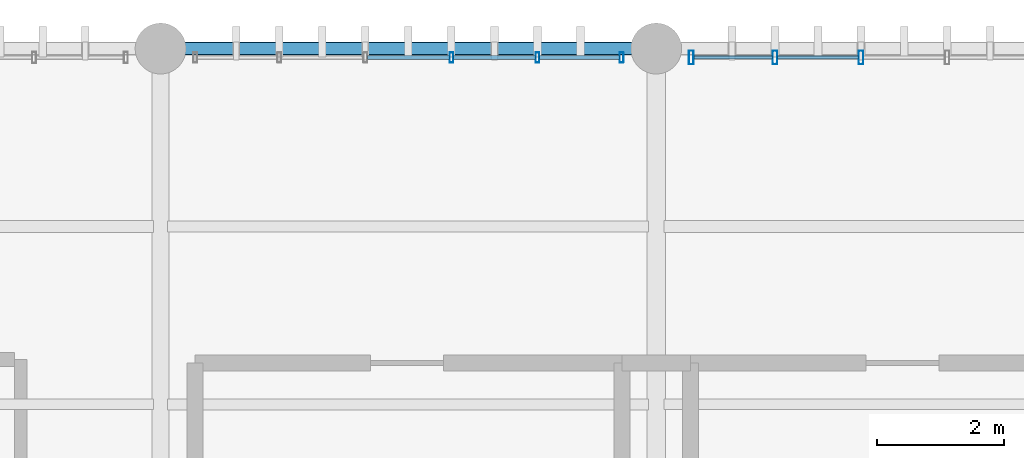
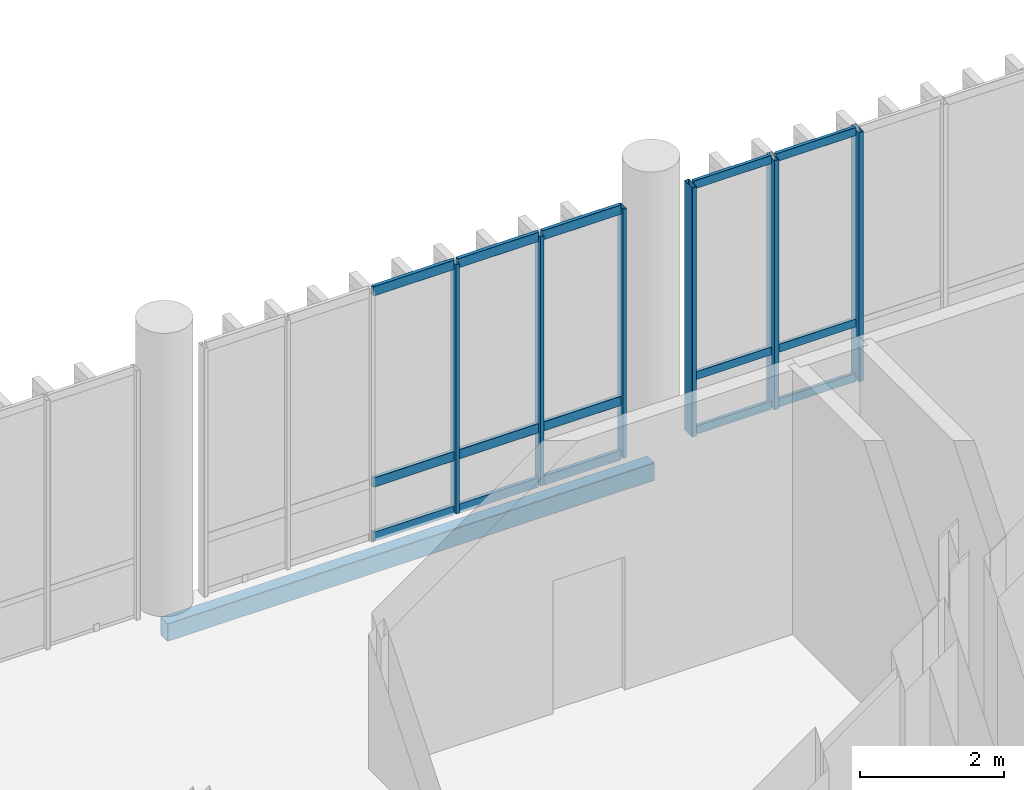
# One storey, part 64 of 94: 21 members, 1 beam, 2 elements without a shape of their own.
"""IFC4 building model written with IfcOpenShell, lengths in metres."""

from ifc_helpers import new_model, si_unit, direction, frame, origin_with_axes, origin_2d_with_axis, place, context, subcontext, project, spatial, hollow_rectangle, extrude, material, material_profile, profile_set, type_object, element, aggregate, save


model = new_model("IFC4")

# Units and contexts
model_context = context("Model", 3, precision=1e-05, world=origin_with_axes(), true_north=direction((0.0, 1.0)))
body_context = subcontext(model_context, "Body", "Model", "MODEL_VIEW")
ifc_project = project(units=[si_unit("LENGTHUNIT", "METRE"), si_unit("AREAUNIT", "SQUARE_METRE"), si_unit("VOLUMEUNIT", "CUBIC_METRE"), si_unit("PLANEANGLEUNIT", "RADIAN"), si_unit("MASSUNIT", "GRAM", prefix="KILO"), si_unit("THERMODYNAMICTEMPERATUREUNIT", "KELVIN")], contexts=[model_context])

# Site, building, storey
site_placement = place(None, origin_with_axes())
site = spatial("IfcSite", under=ifc_project, at=site_placement, CompositionType="ELEMENT")
building_placement = place(site_placement, origin_with_axes())
building = spatial("IfcBuilding", under=site, at=building_placement, Name="Montbau Bow Law Courts", CompositionType="ELEMENT")
storey_placement = place(building_placement, frame((0.0, 0.0, 15.6), z_axis=(0.0, 0.0, 1.0), x_axis=(1.0, 0.0, 0.0)))
storey = spatial("IfcBuildingStorey", under=building, at=storey_placement, Name="L03", CompositionType="ELEMENT", Elevation=15.6)

# Beam
ifc_material_1 = material(Name="Steel CSA G40.21 Grade 350WT (350 MPa)", Category="steel")
ifc_material_profile_1 = material_profile(ifc_material_1, hollow_rectangle(XDim=0.203, YDim=0.305, WallThickness=0.0127, InnerFilletRadius=0.0254, OuterFilletRadius=0.0127, at=origin_2d_with_axis()), Name="HSS305X203X13", Category="Main", Priority=0)
ifc_profile_set_1 = profile_set([ifc_material_profile_1], Name="Steel CSA G40.21 Grade 350WT (350 MPa)")
beam_type = type_object("IfcBeamType", Name="B-SPN-02", PredefinedType="SPANDREL", material=ifc_profile_set_1)
beam_placement = place(None, frame((147.0, 103.2, 15.107), z_axis=(1.0, 0.0, 0.0), x_axis=(0.0, 1.0, 0.0)))
element("IfcBeam", 1, at=beam_placement, inside=storey, type_object=beam_type, Name="SPN-L03-S1222:bm2_1225", PredefinedType="SPANDREL", context=body_context, shape_type="SweptSolid", body=[
    extrude(hollow_rectangle(XDim=0.203, YDim=0.305, WallThickness=0.0127, InnerFilletRadius=0.0254, OuterFilletRadius=0.0127, at=origin_2d_with_axis()), origin_with_axes(), (0.0, 0.0, 1.0), 7.8),
])

# Curtain wall, members
ifc_material_2 = material(Name="Thermally Broken Extruded Aluminium AA 6063-T6", Category="aluminium")
curtain_wall_type = type_object("IfcCurtainWallType", Name="CW-SLT-01", PredefinedType="NOTDEFINED", material=ifc_material_2)
curtain_wall_1_placement = place(None, frame((155.315, 103.06, 15.6), z_axis=(0.0, 0.0, 1.0), x_axis=(1.0, 0.0, 0.0)))
curtain_wall_1 = element("IfcCurtainWall", 2, at=curtain_wall_1_placement, inside=storey, type_object=curtain_wall_type, Name="CW-L03-315:cw_0315", PredefinedType="NOTDEFINED")
ifc_material_profile_2 = material_profile(ifc_material_2, hollow_rectangle(XDim=0.075, YDim=0.22, WallThickness=0.005, InnerFilletRadius=0.01, OuterFilletRadius=0.005, at=origin_2d_with_axis()), Name="CWM-220X75", Category="Main", Priority=0)
ifc_profile_set_2 = profile_set([ifc_material_profile_2], Name="Thermally Broken Extruded Aluminium AA 6063-T6")
member_type_1 = type_object("IfcMemberType", Name="M-MUL-01", PredefinedType="MULLION", material=ifc_profile_set_2)
member_1_placement = place(None, frame((155.352, 103.06, 15.6), z_axis=(0.0, 0.0, 1.0), x_axis=(1.0, 0.0, 0.0)))
member_1 = element("IfcMember", 3, at=member_1_placement, type_object=member_type_1, Name="CW-L03-315-M01:cw_0315_M01", PredefinedType="MULLION", context=body_context, shape_type="SweptSolid", body=[
    extrude(hollow_rectangle(XDim=0.075, YDim=0.22, WallThickness=0.005, InnerFilletRadius=0.01, OuterFilletRadius=0.005, at=origin_2d_with_axis()), origin_with_axes(), (0.0, 0.0, 1.0), 4.22),
])
member_2_placement = place(None, frame((156.669, 103.06, 15.6), z_axis=(0.0, 0.0, 1.0), x_axis=(1.0, 0.0, 0.0)))
member_2 = element("IfcMember", 4, at=member_2_placement, type_object=member_type_1, Name="CW-L03-315-M02:cw_0315_M02", PredefinedType="MULLION", context=body_context, shape_type="SweptSolid", body=[
    extrude(hollow_rectangle(XDim=0.075, YDim=0.22, WallThickness=0.005, InnerFilletRadius=0.01, OuterFilletRadius=0.005, at=origin_2d_with_axis()), origin_with_axes(), (0.0, 0.0, 1.0), 4.22),
])
member_3_placement = place(None, frame((158.023, 103.06, 15.6), z_axis=(0.0, 0.0, 1.0), x_axis=(1.0, 0.0, 0.0)))
member_3 = element("IfcMember", 5, at=member_3_placement, type_object=member_type_1, Name="CW-L03-315-M03:cw_0315_M03", PredefinedType="MULLION", context=body_context, shape_type="SweptSolid", body=[
    extrude(hollow_rectangle(XDim=0.075, YDim=0.22, WallThickness=0.005, InnerFilletRadius=0.01, OuterFilletRadius=0.005, at=origin_2d_with_axis()), origin_with_axes(), (0.0, 0.0, 1.0), 4.22),
])

curtain_wall_2_placement = place(None, frame((147.515, 103.06, 15.6), z_axis=(0.0, 0.0, 1.0), x_axis=(1.0, 0.0, 0.0)))
curtain_wall_2 = element("IfcCurtainWall", 6, at=curtain_wall_2_placement, inside=storey, type_object=curtain_wall_type, Name="CW-L03-314:cw_0314", PredefinedType="NOTDEFINED")
ifc_material_profile_3 = material_profile(ifc_material_2, hollow_rectangle(XDim=0.06, YDim=0.16, WallThickness=0.004, InnerFilletRadius=0.008, OuterFilletRadius=0.004, at=origin_2d_with_axis()), Name="CWM-160X60", Category="Main", Priority=0)
ifc_profile_set_3 = profile_set([ifc_material_profile_3], Name="Thermally Broken Extruded Aluminium AA 6063-T6")
member_type_2 = type_object("IfcMemberType", Name="M-MUL-03", PredefinedType="MULLION", material=ifc_profile_set_3)
member_4_placement = place(None, frame((151.577, 103.06, 15.6), z_axis=(0.0, 0.0, 1.0), x_axis=(1.0, 0.0, 0.0)))
member_4 = element("IfcMember", 7, at=member_4_placement, type_object=member_type_2, Name="CW-L03-314-M04:cw_0314_M04", PredefinedType="MULLION", context=body_context, shape_type="SweptSolid", body=[
    extrude(hollow_rectangle(XDim=0.06, YDim=0.16, WallThickness=0.004, InnerFilletRadius=0.008, OuterFilletRadius=0.004, at=origin_2d_with_axis()), origin_with_axes(), (0.0, 0.0, 1.0), 4.22),
])
member_5_placement = place(None, frame((152.931, 103.06, 15.6), z_axis=(0.0, 0.0, 1.0), x_axis=(1.0, 0.0, 0.0)))
member_5 = element("IfcMember", 8, at=member_5_placement, type_object=member_type_2, Name="CW-L03-314-M05:cw_0314_M05", PredefinedType="MULLION", context=body_context, shape_type="SweptSolid", body=[
    extrude(hollow_rectangle(XDim=0.06, YDim=0.16, WallThickness=0.004, InnerFilletRadius=0.008, OuterFilletRadius=0.004, at=origin_2d_with_axis()), origin_with_axes(), (0.0, 0.0, 1.0), 4.22),
])
member_6_placement = place(None, frame((154.255, 103.06, 15.6), z_axis=(0.0, 0.0, 1.0), x_axis=(1.0, 0.0, 0.0)))
member_6 = element("IfcMember", 9, at=member_6_placement, type_object=member_type_2, Name="CW-L03-314-M06:cw_0314_M06", PredefinedType="MULLION", context=body_context, shape_type="SweptSolid", body=[
    extrude(hollow_rectangle(XDim=0.06, YDim=0.16, WallThickness=0.004, InnerFilletRadius=0.008, OuterFilletRadius=0.004, at=origin_2d_with_axis()), origin_with_axes(), (0.0, 0.0, 1.0), 4.22),
])
ifc_material_profile_4 = material_profile(ifc_material_2, hollow_rectangle(XDim=0.06, YDim=0.16, WallThickness=0.004, InnerFilletRadius=0.008, OuterFilletRadius=0.004, at=origin_2d_with_axis()), Name="CWT-160X60", Category="Main", Priority=0)
ifc_profile_set_4 = profile_set([ifc_material_profile_4], Name="Thermally Broken Extruded Aluminium AA 6063-T6")
member_type_3 = type_object("IfcMemberType", Name="M-TRN-01", PredefinedType="USERDEFINED", material=ifc_profile_set_4)
member_7_placement = place(None, frame((150.255, 103.06, 15.63), z_axis=(1.0, 0.0, 0.0), x_axis=(0.0, 1.0, 0.0)))
member_7 = element("IfcMember", 10, at=member_7_placement, type_object=member_type_3, Name="CW-L03-314-T03-1:cw_0314_T03_1", ObjectType="TRANSOM", PredefinedType="USERDEFINED", context=body_context, shape_type="SweptSolid", body=[
    extrude(hollow_rectangle(XDim=0.06, YDim=0.16, WallThickness=0.004, InnerFilletRadius=0.008, OuterFilletRadius=0.004, at=origin_2d_with_axis()), origin_with_axes(), (0.0, 0.0, 1.0), 1.29),
])
member_8_placement = place(None, frame((150.255, 103.06, 16.55), z_axis=(1.0, 0.0, 0.0), x_axis=(0.0, 1.0, 0.0)))
member_8 = element("IfcMember", 11, at=member_8_placement, type_object=member_type_3, Name="CW-L03-314-T03-2:cw_0314_T03_2", ObjectType="TRANSOM", PredefinedType="USERDEFINED", context=body_context, shape_type="SweptSolid", body=[
    extrude(hollow_rectangle(XDim=0.06, YDim=0.16, WallThickness=0.004, InnerFilletRadius=0.008, OuterFilletRadius=0.004, at=origin_2d_with_axis()), origin_with_axes(), (0.0, 0.0, 1.0), 1.29),
])
member_9_placement = place(None, frame((150.255, 103.06, 19.79), z_axis=(1.0, 0.0, 0.0), x_axis=(0.0, 1.0, 0.0)))
member_9 = element("IfcMember", 12, at=member_9_placement, type_object=member_type_3, Name="CW-L03-314-T03-3:cw_0314_T03_3", ObjectType="TRANSOM", PredefinedType="USERDEFINED", context=body_context, shape_type="SweptSolid", body=[
    extrude(hollow_rectangle(XDim=0.06, YDim=0.16, WallThickness=0.004, InnerFilletRadius=0.008, OuterFilletRadius=0.004, at=origin_2d_with_axis()), origin_with_axes(), (0.0, 0.0, 1.0), 1.29),
])
member_10_placement = place(None, frame((151.609, 103.06, 15.63), z_axis=(1.0, 0.0, 0.0), x_axis=(0.0, 1.0, 0.0)))
member_10 = element("IfcMember", 13, at=member_10_placement, type_object=member_type_3, Name="CW-L03-314-T04-1:cw_0314_T04_1", ObjectType="TRANSOM", PredefinedType="USERDEFINED", context=body_context, shape_type="SweptSolid", body=[
    extrude(hollow_rectangle(XDim=0.06, YDim=0.16, WallThickness=0.004, InnerFilletRadius=0.008, OuterFilletRadius=0.004, at=origin_2d_with_axis()), origin_with_axes(), (0.0, 0.0, 1.0), 1.29),
])
member_11_placement = place(None, frame((151.609, 103.06, 16.55), z_axis=(1.0, 0.0, 0.0), x_axis=(0.0, 1.0, 0.0)))
member_11 = element("IfcMember", 14, at=member_11_placement, type_object=member_type_3, Name="CW-L03-314-T04-2:cw_0314_T04_2", ObjectType="TRANSOM", PredefinedType="USERDEFINED", context=body_context, shape_type="SweptSolid", body=[
    extrude(hollow_rectangle(XDim=0.06, YDim=0.16, WallThickness=0.004, InnerFilletRadius=0.008, OuterFilletRadius=0.004, at=origin_2d_with_axis()), origin_with_axes(), (0.0, 0.0, 1.0), 1.29),
])
member_12_placement = place(None, frame((151.609, 103.06, 19.79), z_axis=(1.0, 0.0, 0.0), x_axis=(0.0, 1.0, 0.0)))
member_12 = element("IfcMember", 15, at=member_12_placement, type_object=member_type_3, Name="CW-L03-314-T04-3:cw_0314_T04_3", ObjectType="TRANSOM", PredefinedType="USERDEFINED", context=body_context, shape_type="SweptSolid", body=[
    extrude(hollow_rectangle(XDim=0.06, YDim=0.16, WallThickness=0.004, InnerFilletRadius=0.008, OuterFilletRadius=0.004, at=origin_2d_with_axis()), origin_with_axes(), (0.0, 0.0, 1.0), 1.29),
])
member_13_placement = place(None, frame((152.963, 103.06, 15.63), z_axis=(1.0, 0.0, 0.0), x_axis=(0.0, 1.0, 0.0)))
member_13 = element("IfcMember", 16, at=member_13_placement, type_object=member_type_3, Name="CW-L03-314-T05-1:cw_0314_T05_1", ObjectType="TRANSOM", PredefinedType="USERDEFINED", context=body_context, shape_type="SweptSolid", body=[
    extrude(hollow_rectangle(XDim=0.06, YDim=0.16, WallThickness=0.004, InnerFilletRadius=0.008, OuterFilletRadius=0.004, at=origin_2d_with_axis()), origin_with_axes(), (0.0, 0.0, 1.0), 1.26),
])
member_14_placement = place(None, frame((152.963, 103.06, 16.55), z_axis=(1.0, 0.0, 0.0), x_axis=(0.0, 1.0, 0.0)))
member_14 = element("IfcMember", 17, at=member_14_placement, type_object=member_type_3, Name="CW-L03-314-T05-2:cw_0314_T05_2", ObjectType="TRANSOM", PredefinedType="USERDEFINED", context=body_context, shape_type="SweptSolid", body=[
    extrude(hollow_rectangle(XDim=0.06, YDim=0.16, WallThickness=0.004, InnerFilletRadius=0.008, OuterFilletRadius=0.004, at=origin_2d_with_axis()), origin_with_axes(), (0.0, 0.0, 1.0), 1.26),
])
member_15_placement = place(None, frame((152.963, 103.06, 19.79), z_axis=(1.0, 0.0, 0.0), x_axis=(0.0, 1.0, 0.0)))
member_15 = element("IfcMember", 18, at=member_15_placement, type_object=member_type_3, Name="CW-L03-314-T05-3:cw_0314_T05_3", ObjectType="TRANSOM", PredefinedType="USERDEFINED", context=body_context, shape_type="SweptSolid", body=[
    extrude(hollow_rectangle(XDim=0.06, YDim=0.16, WallThickness=0.004, InnerFilletRadius=0.008, OuterFilletRadius=0.004, at=origin_2d_with_axis()), origin_with_axes(), (0.0, 0.0, 1.0), 1.26),
])
aggregate(curtain_wall_2, [member_4, member_5, member_6, member_7, member_8, member_9, member_10, member_11, member_12, member_13, member_14, member_15])

# Member
ifc_material_profile_5 = material_profile(ifc_material_2, hollow_rectangle(XDim=0.055, YDim=0.14, WallThickness=0.004, InnerFilletRadius=0.008, OuterFilletRadius=0.004, at=origin_2d_with_axis()), Name="CWT-140X55", Category="Main", Priority=0)
ifc_profile_set_5 = profile_set([ifc_material_profile_5], Name="Thermally Broken Extruded Aluminium AA 6063-T6")
member_type_4 = type_object("IfcMemberType", Name="M-TRN-02", PredefinedType="USERDEFINED", material=ifc_profile_set_5)
member_16_placement = place(None, frame((155.391, 103.06, 15.627), z_axis=(1.0, 0.0, 0.0), x_axis=(0.0, 1.0, 0.0)))
member_16 = element("IfcMember", 19, at=member_16_placement, type_object=member_type_4, Name="CW-L03-315-T01-1:cw_0315_T01_1", ObjectType="TRANSOM", PredefinedType="USERDEFINED", context=body_context, shape_type="SweptSolid", body=[
    extrude(hollow_rectangle(XDim=0.055, YDim=0.14, WallThickness=0.004, InnerFilletRadius=0.008, OuterFilletRadius=0.004, at=origin_2d_with_axis()), origin_with_axes(), (0.0, 0.0, 1.0), 1.239),
])

member_17_placement = place(None, frame((155.391, 103.06, 16.55), z_axis=(1.0, 0.0, 0.0), x_axis=(0.0, 1.0, 0.0)))
member_17 = element("IfcMember", 20, at=member_17_placement, type_object=member_type_4, Name="CW-L03-315-T01-2:cw_0315_T01_2", ObjectType="TRANSOM", PredefinedType="USERDEFINED", context=body_context, shape_type="SweptSolid", body=[
    extrude(hollow_rectangle(XDim=0.055, YDim=0.14, WallThickness=0.004, InnerFilletRadius=0.008, OuterFilletRadius=0.004, at=origin_2d_with_axis()), origin_with_axes(), (0.0, 0.0, 1.0), 1.239),
])

member_18_placement = place(None, frame((155.391, 103.06, 19.793), z_axis=(1.0, 0.0, 0.0), x_axis=(0.0, 1.0, 0.0)))
member_18 = element("IfcMember", 21, at=member_18_placement, type_object=member_type_4, Name="CW-L03-315-T01-3:cw_0315_T01_3", ObjectType="TRANSOM", PredefinedType="USERDEFINED", context=body_context, shape_type="SweptSolid", body=[
    extrude(hollow_rectangle(XDim=0.055, YDim=0.14, WallThickness=0.004, InnerFilletRadius=0.008, OuterFilletRadius=0.004, at=origin_2d_with_axis()), origin_with_axes(), (0.0, 0.0, 1.0), 1.239),
])

member_19_placement = place(None, frame((156.709, 103.06, 15.627), z_axis=(1.0, 0.0, 0.0), x_axis=(0.0, 1.0, 0.0)))
member_19 = element("IfcMember", 22, at=member_19_placement, type_object=member_type_4, Name="CW-L03-315-T02-1:cw_0315_T02_1", ObjectType="TRANSOM", PredefinedType="USERDEFINED", context=body_context, shape_type="SweptSolid", body=[
    extrude(hollow_rectangle(XDim=0.055, YDim=0.14, WallThickness=0.004, InnerFilletRadius=0.008, OuterFilletRadius=0.004, at=origin_2d_with_axis()), origin_with_axes(), (0.0, 0.0, 1.0), 1.275),
])

member_20_placement = place(None, frame((156.709, 103.06, 16.55), z_axis=(1.0, 0.0, 0.0), x_axis=(0.0, 1.0, 0.0)))
member_20 = element("IfcMember", 23, at=member_20_placement, type_object=member_type_4, Name="CW-L03-315-T02-2:cw_0315_T02_2", ObjectType="TRANSOM", PredefinedType="USERDEFINED", context=body_context, shape_type="SweptSolid", body=[
    extrude(hollow_rectangle(XDim=0.055, YDim=0.14, WallThickness=0.004, InnerFilletRadius=0.008, OuterFilletRadius=0.004, at=origin_2d_with_axis()), origin_with_axes(), (0.0, 0.0, 1.0), 1.275),
])

member_21_placement = place(None, frame((156.709, 103.06, 19.793), z_axis=(1.0, 0.0, 0.0), x_axis=(0.0, 1.0, 0.0)))
member_21 = element("IfcMember", 24, at=member_21_placement, type_object=member_type_4, Name="CW-L03-315-T02-3:cw_0315_T02_3", ObjectType="TRANSOM", PredefinedType="USERDEFINED", context=body_context, shape_type="SweptSolid", body=[
    extrude(hollow_rectangle(XDim=0.055, YDim=0.14, WallThickness=0.004, InnerFilletRadius=0.008, OuterFilletRadius=0.004, at=origin_2d_with_axis()), origin_with_axes(), (0.0, 0.0, 1.0), 1.275),
])

aggregate(curtain_wall_1, [member_1, member_2, member_3, member_16, member_17, member_18, member_19, member_20, member_21])

save(model, "model.ifc")
